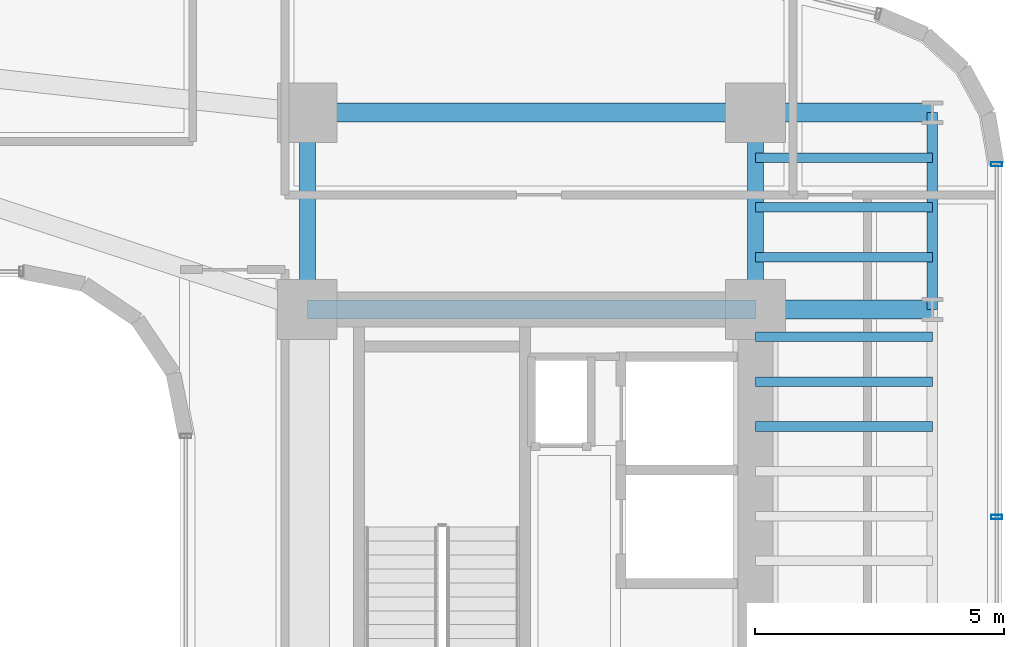
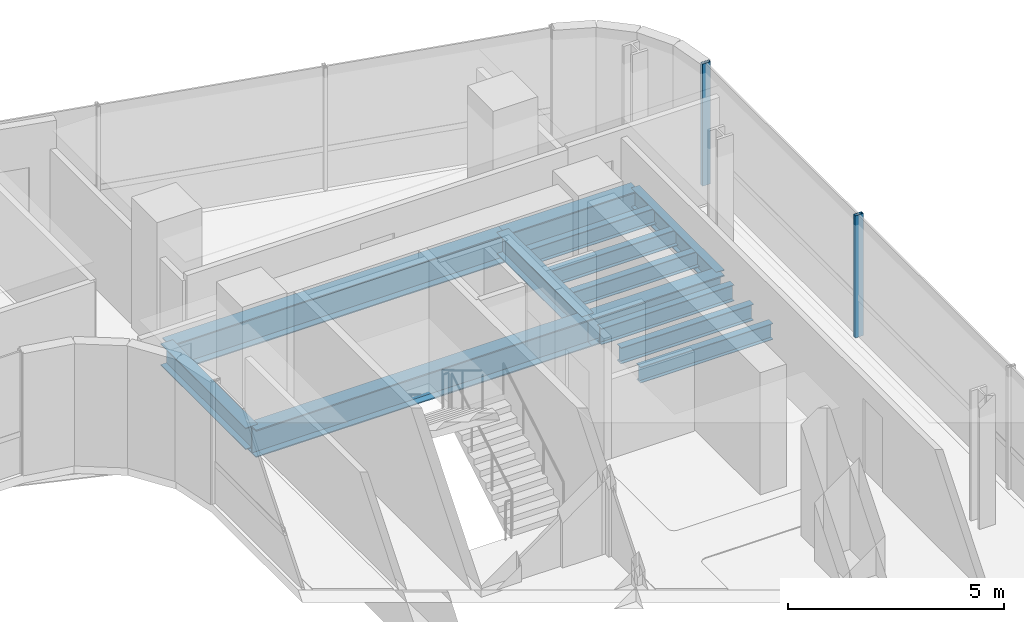
# One storey, part 18 of 34: 13 beams, 2 members, 1 element without a shape of its own.
"""IFC4 building model written with IfcOpenShell, lengths in metres."""

from ifc_helpers import new_model, si_unit, direction, frame, origin, origin_2d, place, context, subcontext, project, spatial, hollow_rectangle, i_section, extrude, source, transform, mapped, material, material_profile, profile_set, type_object, element, aggregate, save


model = new_model("IFC4")

# Units and contexts
model_context = context("Model", 3, precision=1e-05, world=origin(), true_north=direction((0.0, 1.0)))
body_context = subcontext(model_context, "Body", "Model", "MODEL_VIEW")
ifc_project = project(units=[si_unit("LENGTHUNIT", "METRE"), si_unit("AREAUNIT", "SQUARE_METRE"), si_unit("VOLUMEUNIT", "CUBIC_METRE"), si_unit("PLANEANGLEUNIT", "RADIAN"), si_unit("MASSUNIT", "GRAM", prefix="KILO")], contexts=[model_context])

# Site, building, storey
site_placement = place(None, origin())
site = spatial("IfcSite", under=ifc_project, at=site_placement, CompositionType="ELEMENT")
building_placement = place(site_placement, origin())
building = spatial("IfcBuilding", under=site, at=building_placement, Name="Valdorenza Pilgrim Sanctuary Tower", CompositionType="ELEMENT")
storey_placement = place(building_placement, frame((0.0, 0.0, 120.5)))
storey = spatial("IfcBuildingStorey", under=building, at=storey_placement, Name="L30", CompositionType="ELEMENT", Elevation=120.5)

# Beams
ifc_material_1 = material(Name="Steel ASTM A992 Grade 50", Category="steel")
ifc_material_profile_1 = material_profile(ifc_material_1, i_section(OverallWidth=0.323974609375, OverallDepth=0.611083984375, WebThickness=0.0126953125, FlangeThickness=0.01904296875, at=origin_2d()), Name="W24X104")
ifc_profile_set_1 = profile_set([ifc_material_profile_1], Name="Steel ASTM A992 Grade 50")
beam_type_1 = type_object("IfcBeamType", Name="STR-BM-GRD-W24B", PredefinedType="BEAM", material=ifc_profile_set_1)
shared_shape_1 = source(origin(), body_context, "Body", "SweptSolid", [
    extrude(i_section(OverallWidth=0.323974609375, OverallDepth=0.611083984375, WebThickness=0.0126953125, FlangeThickness=0.01904296875, at=origin_2d()), origin(), (0.0, 0.0, 1.0), 3.949951171875),
])
for number, where, z_axis, x_axis, name in (
    (1, (15.85009765625, 9.550048828125, -0.54541015625), (0.0, 1.0, 0.0), (-1.0, 0.0, 0.0), "L30 Core Tie Girder CB-W-N1N2"),
    (2, (24.85009765625, 9.550048828125, -0.54541015625), (0.0, 1.0, 0.0), (-1.0, 0.0, 0.0), "L30 Core Tie Girder CB-E-N1N2"),
):
    element("IfcBeam", number, at=place(storey_placement, frame(where, z_axis=z_axis, x_axis=x_axis)), inside=storey, type_object=beam_type_1, Name=name, PredefinedType="BEAM", context=body_context, shape_type="MappedRepresentation", body=[
        mapped(shared_shape_1, transform((0.0, 0.0, 0.0), x_axis=(1.0, 0.0, 0.0), y_axis=(0.0, 1.0, 0.0), z_axis=(0.0, 0.0, 1.0), scale=1.0)),
    ])
ifc_material_profile_2 = material_profile(ifc_material_1, i_section(OverallWidth=0.214111328125, OverallDepth=0.549072265625, WebThickness=0.0146484375, FlangeThickness=0.023681640625, at=origin_2d()), Name="W21X93")
ifc_profile_set_2 = profile_set([ifc_material_profile_2], Name="Steel ASTM A992 Grade 50")
beam_type_2 = type_object("IfcBeamType", Name="STR-BM-SPN-W21A", PredefinedType="SPANDREL", material=ifc_profile_set_2)
shared_shape_2 = source(origin(), body_context, "Body", "SweptSolid", [
    extrude(i_section(OverallWidth=0.214111328125, OverallDepth=0.549072265625, WebThickness=0.0146484375, FlangeThickness=0.023681640625, at=origin_2d()), origin(), (0.0, 0.0, 1.0), 3.949951171875),
])
beam_placement = place(storey_placement, frame((28.39990234375, 9.550048828125, -0.514404296875), z_axis=(0.0, 1.0, 0.0), x_axis=(-1.0, 0.0, 0.0)))
element("IfcBeam", 3, at=beam_placement, inside=storey, type_object=beam_type_2, Name="L30 Spandrel Beam WB-E-N1N2", PredefinedType="SPANDREL", context=body_context, shape_type="MappedRepresentation", body=[
    mapped(shared_shape_2, transform((0.0, 0.0, 0.0), x_axis=(1.0, 0.0, 0.0), y_axis=(0.0, 1.0, 0.0), z_axis=(0.0, 0.0, 1.0), scale=1.0)),
])
ifc_material_profile_3 = material_profile(ifc_material_1, i_section(OverallWidth=0.382080078125, OverallDepth=0.779052734375, WebThickness=0.01806640625, FlangeThickness=0.030029296875, at=origin_2d()), Name="W30X191")
ifc_profile_set_3 = profile_set([ifc_material_profile_3], Name="Steel ASTM A992 Grade 50")
beam_type_3 = type_object("IfcBeamType", Name="STR-BM-GRD-W30", PredefinedType="BEAM", material=ifc_profile_set_3)
shared_shape_3 = source(origin(), body_context, "Body", "SweptSolid", [
    extrude(i_section(OverallWidth=0.382080078125, OverallDepth=0.779052734375, WebThickness=0.01806640625, FlangeThickness=0.030029296875, at=origin_2d()), origin(), (0.0, 0.0, 1.0), 9.0),
])
for number, where, z_axis, x_axis, name in (
    (4, (15.85009765625, 9.550048828125, -0.62939453125), (1.0, 0.0, 0.0), (0.0, 1.0, 0.0), "L30 Floor Girder CB-XC-N1"),
    (5, (15.85009765625, 13.5, -0.62939453125), (1.0, 0.0, 0.0), (0.0, 1.0, 0.0), "L30 Floor Girder CB-XC-N2"),
):
    element("IfcBeam", number, at=place(storey_placement, frame(where, z_axis=z_axis, x_axis=x_axis)), inside=storey, type_object=beam_type_3, Name=name, PredefinedType="BEAM", context=body_context, shape_type="MappedRepresentation", body=[
        mapped(shared_shape_3, transform((0.0, 0.0, 0.0), x_axis=(1.0, 0.0, 0.0), y_axis=(0.0, 1.0, 0.0), z_axis=(0.0, 0.0, 1.0), scale=1.0)),
    ])
shared_shape_4 = source(origin(), body_context, "Body", "SweptSolid", [
    extrude(i_section(OverallWidth=0.382080078125, OverallDepth=0.779052734375, WebThickness=0.01806640625, FlangeThickness=0.030029296875, at=origin_2d()), origin(), (0.0, 0.0, 1.0), 3.5498046875),
])
for number, where, z_axis, x_axis, name in (
    (6, (24.85009765625, 9.550048828125, -0.62939453125), (1.0, 0.0, 0.0), (0.0, 1.0, 0.0), "L30 Floor Girder WB-XE-N1"),
    (7, (24.85009765625, 13.5, -0.62939453125), (1.0, 0.0, 0.0), (0.0, 1.0, 0.0), "L30 Floor Girder WB-XE-N2"),
):
    element("IfcBeam", number, at=place(storey_placement, frame(where, z_axis=z_axis, x_axis=x_axis)), inside=storey, type_object=beam_type_3, Name=name, PredefinedType="BEAM", context=body_context, shape_type="MappedRepresentation", body=[
        mapped(shared_shape_4, transform((0.0, 0.0, 0.0), x_axis=(1.0, 0.0, 0.0), y_axis=(0.0, 1.0, 0.0), z_axis=(0.0, 0.0, 1.0), scale=1.0)),
    ])
ifc_material_profile_4 = material_profile(ifc_material_1, i_section(OverallWidth=0.19091796875, OverallDepth=0.45703125, WebThickness=0.009033203125, FlangeThickness=0.014404296875, at=origin_2d()), Name="W18X50")
ifc_profile_set_4 = profile_set([ifc_material_profile_4], Name="Steel ASTM A992 Grade 50")
beam_type_4 = type_object("IfcBeamType", Name="STR-BM-JST-W18B", PredefinedType="JOIST", material=ifc_profile_set_4)
shared_shape_5 = source(origin(), body_context, "Body", "SweptSolid", [
    extrude(i_section(OverallWidth=0.19091796875, OverallDepth=0.45703125, WebThickness=0.009033203125, FlangeThickness=0.014404296875, at=origin_2d()), origin(), (0.0, 0.0, 1.0), 3.5498046875),
])
for number, where, z_axis, x_axis, name in (
    (8, (24.85009765625, 7.199951171875, -0.468505859375), (1.0, 0.0, 0.0), (0.0, 1.0, 0.0), "L30 Composite Floor Joist JST-WB-16"),
    (9, (24.85009765625, 8.10009765625, -0.468505859375), (1.0, 0.0, 0.0), (0.0, 1.0, 0.0), "L30 Composite Floor Joist JST-WB-17"),
    (10, (24.85009765625, 9.0, -0.468505859375), (1.0, 0.0, 0.0), (0.0, 1.0, 0.0), "L30 Composite Floor Joist JST-WB-18"),
    (11, (24.85009765625, 10.60009765625, -0.468505859375), (1.0, 0.0, 0.0), (0.0, 1.0, 0.0), "L30 Composite Floor Joist JST-WB-19"),
    (12, (24.85009765625, 11.60009765625, -0.468505859375), (1.0, 0.0, 0.0), (0.0, 1.0, 0.0), "L30 Composite Floor Joist JST-WB-20"),
    (13, (24.85009765625, 12.60009765625, -0.468505859375), (1.0, 0.0, 0.0), (0.0, 1.0, 0.0), "L30 Composite Floor Joist JST-WB-21"),
):
    element("IfcBeam", number, at=place(storey_placement, frame(where, z_axis=z_axis, x_axis=x_axis)), inside=storey, type_object=beam_type_4, Name=name, PredefinedType="JOIST", context=body_context, shape_type="MappedRepresentation", body=[
        mapped(shared_shape_5, transform((0.0, 0.0, 0.0), x_axis=(1.0, 0.0, 0.0), y_axis=(0.0, 1.0, 0.0), z_axis=(0.0, 0.0, 1.0), scale=1.0)),
    ])

# Curtain wall, members
ifc_material_2 = material(Name="Curtain-wall IGU glazing", Category="glass")
curtain_wall_type = type_object("IfcCurtainWallType", Name="CW-SYS-03", PredefinedType="NOTDEFINED", material=ifc_material_2)
curtain_wall_placement = place(storey_placement, origin())
curtain_wall = element("IfcCurtainWall", 14, at=curtain_wall_placement, inside=storey, type_object=curtain_wall_type, Name="L30 Curtain Wall CW-L30-1-21", PredefinedType="NOTDEFINED")
ifc_material_3 = material(Name="Anodised aluminium AW-6060", Category="aluminium")
ifc_material_profile_5 = material_profile(ifc_material_3, hollow_rectangle(XDim=0.0849609375, YDim=0.219970703125, WallThickness=0.0048828125, at=origin_2d()), Name="ALU-M 220x85x5")
ifc_profile_set_5 = profile_set([ifc_material_profile_5], Name="Anodised aluminium AW-6060")
member_type = type_object("IfcMemberType", Name="CW-MUL-03", PredefinedType="MULLION", material=ifc_profile_set_5)
shared_shape_6 = source(origin(), body_context, "Body", "SweptSolid", [
    extrude(hollow_rectangle(XDim=0.0849609375, YDim=0.219970703125, WallThickness=0.0048828125, at=origin_2d()), origin(), (0.0, 0.0, 1.0), 3.4599609375),
])
member_1_placement = place(storey_placement, frame((29.68994140625, 12.46630859375, 0.0), z_axis=(0.0, 0.0, 1.0), x_axis=(0.0, -1.0, 0.0)))
member_1 = element("IfcMember", 15, at=member_1_placement, type_object=member_type, Name="CW-L30-1-21 Mullion 1", PredefinedType="MULLION", context=body_context, shape_type="MappedRepresentation", body=[
    mapped(shared_shape_6, transform((0.0, 0.0, 0.0), x_axis=(1.0, 0.0, 0.0), y_axis=(0.0, 1.0, 0.0), z_axis=(0.0, 0.0, 1.0), scale=1.0)),
])
member_2_placement = place(storey_placement, frame((29.68994140625, 5.381103515625, 0.0), z_axis=(0.0, 0.0, 1.0), x_axis=(0.0, -1.0, 0.0)))
member_2 = element("IfcMember", 16, at=member_2_placement, type_object=member_type, Name="CW-L30-1-21 Mullion 2", PredefinedType="MULLION", context=body_context, shape_type="MappedRepresentation", body=[
    mapped(shared_shape_6, transform((0.0, 0.0, 0.0), x_axis=(1.0, 0.0, 0.0), y_axis=(0.0, 1.0, 0.0), z_axis=(0.0, 0.0, 1.0), scale=1.0)),
])
aggregate(curtain_wall, [member_1, member_2])

save(model, "model.ifc")
